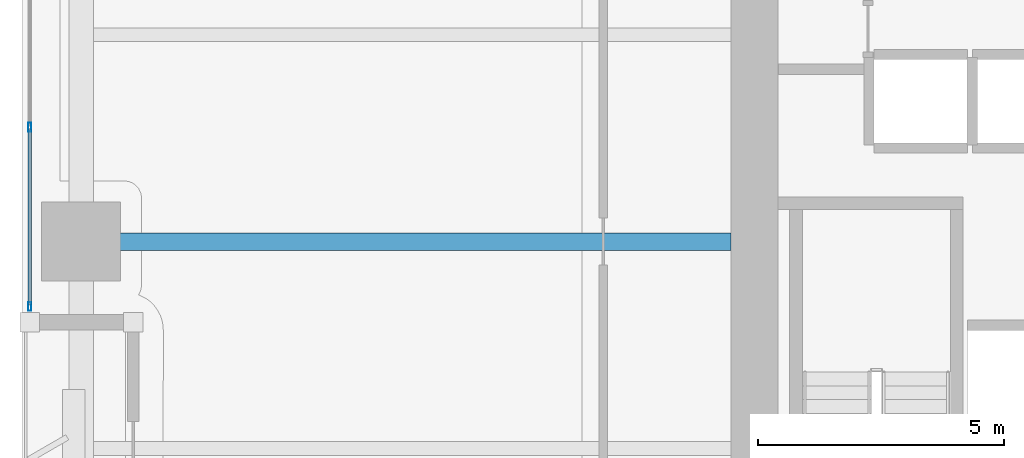
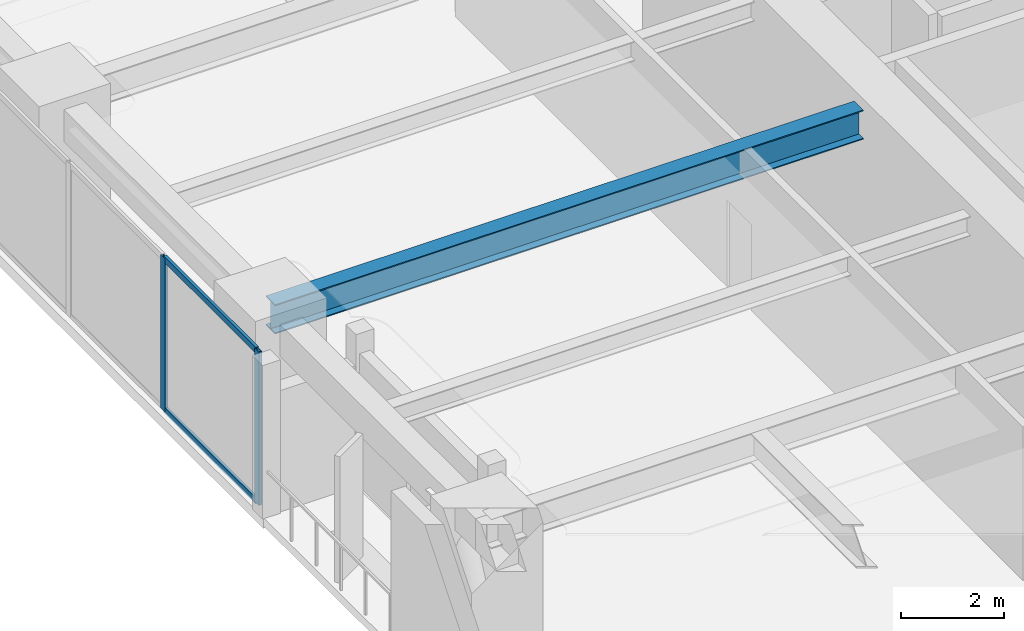
# One storey, part 2 of 29: 4 members, 1 beam, 1 element without a shape of its own.
"""IFC4 building model written with IfcOpenShell, lengths in metres."""

from ifc_helpers import new_model, si_unit, direction, frame, origin, origin_2d, place, context, subcontext, project, spatial, hollow_rectangle, i_section, extrude, material, layer, layer_set, material_profile, profile_set, type_object, element, aggregate, save


model = new_model("IFC4")

# Units and contexts
model_context = context("Model", 3, precision=1e-05, world=origin(), true_north=direction((0.0, 1.0)))
body_context = subcontext(model_context, "Body", "Model", "MODEL_VIEW")
ifc_project = project(units=[si_unit("LENGTHUNIT", "METRE"), si_unit("AREAUNIT", "SQUARE_METRE"), si_unit("VOLUMEUNIT", "CUBIC_METRE"), si_unit("PLANEANGLEUNIT", "RADIAN"), si_unit("MASSUNIT", "GRAM", prefix="KILO")], contexts=[model_context])

# Site, building, storey
site_placement = place(None, origin())
site = spatial("IfcSite", under=ifc_project, at=site_placement, CompositionType="ELEMENT")
building_placement = place(site_placement, origin())
building = spatial("IfcBuilding", under=site, at=building_placement, Name="Kiyonajd Concourse Tower", CompositionType="ELEMENT")
storey_placement = place(building_placement, frame((0.0, 0.0, 45.0)))
storey = spatial("IfcBuildingStorey", under=building, at=storey_placement, Name="L12", CompositionType="ELEMENT", Elevation=45.0)

# Beam
ifc_material_1 = material(Name="Steel ASTM A992 Grade 50", Category="steel")
ifc_material_profile_1 = material_profile(ifc_material_1, i_section(OverallWidth=0.35498046875, OverallDepth=0.695068359375, WebThickness=0.015380859375, FlangeThickness=0.02490234375, at=origin_2d()), Name="W690X217")
ifc_profile_set_1 = profile_set([ifc_material_profile_1], Name="Steel ASTM A992 Grade 50")
beam_type = type_object("IfcBeamType", Name="BM-TWR-690", PredefinedType="BEAM", material=ifc_profile_set_1)
beam_placement = place(storey_placement, frame((19.199951171875, 36.0, 3.29248046875), z_axis=(1.0, 0.0, 0.0), x_axis=(0.0, 1.0, 0.0)))
element("IfcBeam", 1, at=beam_placement, inside=storey, type_object=beam_type, Name="L12 West Lease Girder", PredefinedType="BEAM", context=body_context, shape_type="SweptSolid", body=[
    extrude(i_section(OverallWidth=0.35498046875, OverallDepth=0.695068359375, WebThickness=0.015380859375, FlangeThickness=0.02490234375, at=origin_2d()), origin(), (0.0, 0.0, 1.0), 13.199951171875),
])

# Curtain wall, members
ifc_material_2 = material(Name="Thermally Broken Anodised Aluminium", Category="aluminium")
ifc_layer = layer(ifc_material_2, 0.179931640625)
ifc_layer_set = layer_set([ifc_layer], Name="Thermally Broken Anodised Aluminium")
curtain_wall_type = type_object("IfcCurtainWallType", Name="CW-SYS-02", PredefinedType="NOTDEFINED", material=ifc_layer_set)
curtain_wall_placement = place(storey_placement, origin())
curtain_wall = element("IfcCurtainWall", 2, at=curtain_wall_placement, inside=storey, type_object=curtain_wall_type, Name="L12 Unitised Curtain Wall CW2", PredefinedType="NOTDEFINED")
ifc_material_profile_2 = material_profile(ifc_material_2, hollow_rectangle(XDim=0.06494140625, YDim=0.179931640625, WallThickness=0.00390625, at=origin_2d()), Name="MULL-65x180")
ifc_profile_set_2 = profile_set([ifc_material_profile_2], Name="Thermally Broken Anodised Aluminium")
member_type_1 = type_object("IfcMemberType", Name="MB-CW-MULL1", PredefinedType="MULLION", material=ifc_profile_set_2)
member_1_placement = place(storey_placement, frame((18.159912109375, 34.6826171875, 0.0), z_axis=(0.0, 0.0, 1.0), x_axis=(-1.0, 0.0, 0.0)))
member_1 = element("IfcMember", 3, at=member_1_placement, type_object=member_type_1, Name="CW2 mullion 1", PredefinedType="MULLION", context=body_context, shape_type="SweptSolid", body=[
    extrude(hollow_rectangle(XDim=0.06494140625, YDim=0.179931640625, WallThickness=0.00390625, at=origin_2d()), origin(), (0.0, 0.0, 1.0), 3.639892578125),
])
member_2_placement = place(storey_placement, frame((18.159912109375, 38.3232421875, 0.0), z_axis=(0.0, 0.0, 1.0), x_axis=(-1.0, 0.0, 0.0)))
member_2 = element("IfcMember", 4, at=member_2_placement, type_object=member_type_1, Name="CW2 mullion 2", PredefinedType="MULLION", context=body_context, shape_type="SweptSolid", body=[
    extrude(hollow_rectangle(XDim=0.06494140625, YDim=0.179931640625, WallThickness=0.00390625, at=origin_2d()), origin(), (0.0, 0.0, 1.0), 3.639892578125),
])
ifc_material_profile_3 = material_profile(ifc_material_2, hollow_rectangle(XDim=0.06494140625, YDim=0.139892578125, WallThickness=0.00390625, at=origin_2d()), Name="TRAN-65x140")
ifc_profile_set_3 = profile_set([ifc_material_profile_3], Name="Thermally Broken Anodised Aluminium")
member_type_2 = type_object("IfcMemberType", Name="MB-CW-TRAN1", PredefinedType="USERDEFINED", material=ifc_profile_set_3)
member_3_placement = place(storey_placement, frame((18.159912109375, 34.715087890625, 0.032470703125), z_axis=(0.0, 1.0, 0.0), x_axis=(-1.0, 0.0, 0.0)))
member_3 = element("IfcMember", 5, at=member_3_placement, type_object=member_type_2, Name="CW2 transom 1.1", ObjectType="TRANSOM", PredefinedType="USERDEFINED", context=body_context, shape_type="SweptSolid", body=[
    extrude(hollow_rectangle(XDim=0.06494140625, YDim=0.139892578125, WallThickness=0.00390625, at=origin_2d()), origin(), (0.0, 0.0, 1.0), 3.57568359375),
])
member_4_placement = place(storey_placement, frame((18.159912109375, 34.715087890625, 3.607421875), z_axis=(0.0, 1.0, 0.0), x_axis=(-1.0, 0.0, 0.0)))
member_4 = element("IfcMember", 6, at=member_4_placement, type_object=member_type_2, Name="CW2 transom 1.2", ObjectType="TRANSOM", PredefinedType="USERDEFINED", context=body_context, shape_type="SweptSolid", body=[
    extrude(hollow_rectangle(XDim=0.06494140625, YDim=0.139892578125, WallThickness=0.00390625, at=origin_2d()), origin(), (0.0, 0.0, 1.0), 3.57568359375),
])
aggregate(curtain_wall, [member_1, member_2, member_3, member_4])

save(model, "model.ifc")
